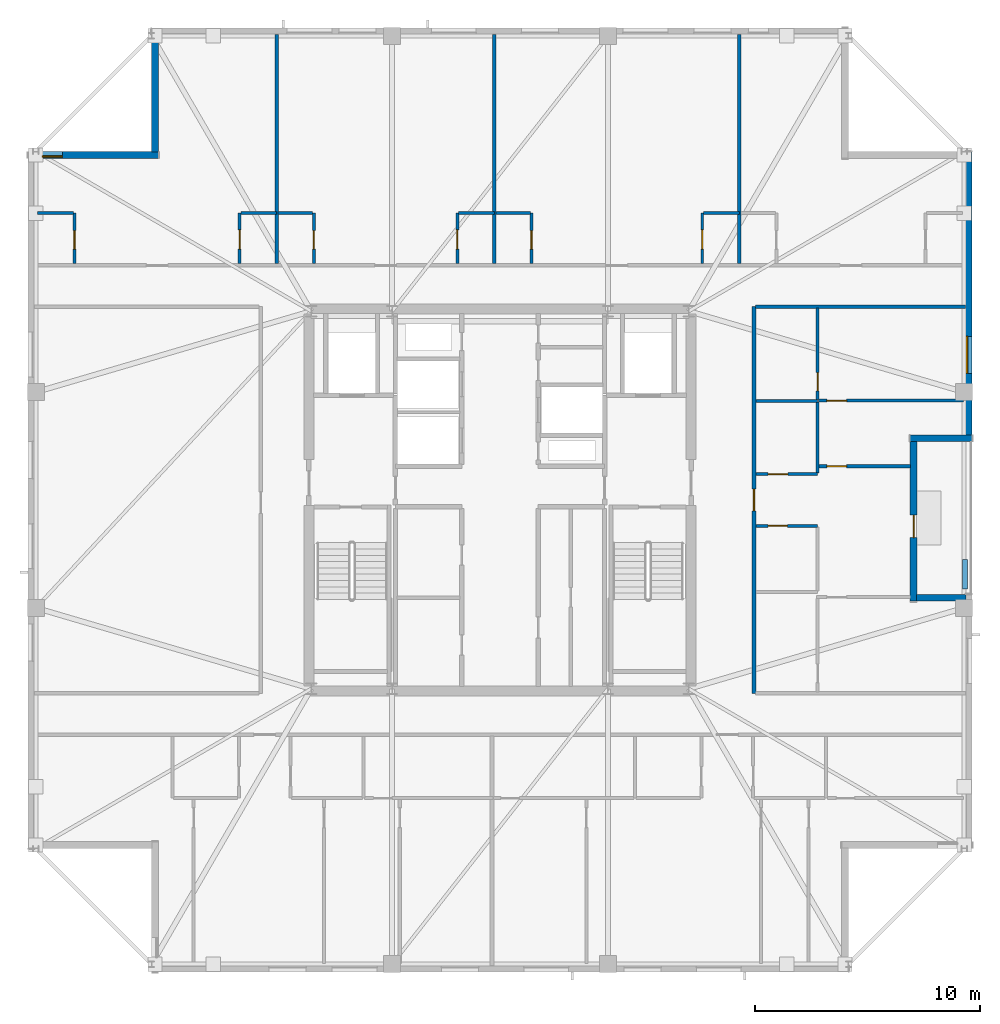
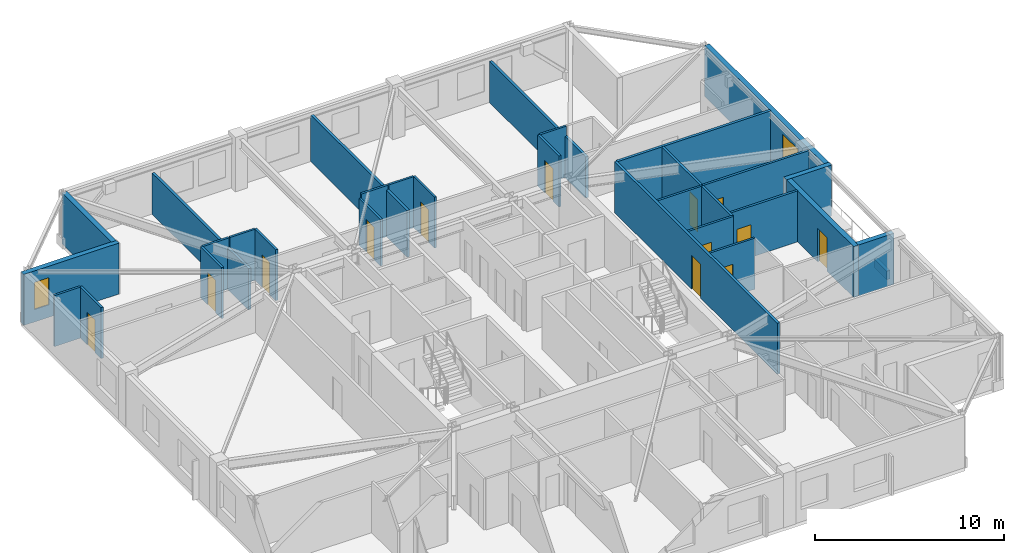
# One storey, part 10 of 14: 31 walls, 13 doors, 2 windows, 15 openings.
"""IFC4 building model written with IfcOpenShell, lengths in metres."""

from ifc_helpers import new_model, si_unit, direction, frame, frame_2d, origin, place, context, subcontext, project, spatial, rectangle, extrude, material, layer, layer_set, type_object, element, fill, save


model = new_model("IFC4")

# Units and contexts
model_context = context("Model", 3, precision=1e-05, world=origin(), true_north=direction((0.0, 1.0)))
body_context = subcontext(model_context, "Body", "Model", "MODEL_VIEW")
ifc_project = project(units=[si_unit("LENGTHUNIT", "METRE"), si_unit("AREAUNIT", "SQUARE_METRE"), si_unit("VOLUMEUNIT", "CUBIC_METRE"), si_unit("PLANEANGLEUNIT", "RADIAN"), si_unit("MASSUNIT", "GRAM", prefix="KILO")], contexts=[model_context])

# Site, building, storey
site_placement = place(None, origin())
site = spatial("IfcSite", under=ifc_project, at=site_placement, CompositionType="ELEMENT")
building_placement = place(site_placement, origin())
building = spatial("IfcBuilding", under=site, at=building_placement, Name="Cairnveth Concourse Tower", CompositionType="ELEMENT")
storey_placement = place(building_placement, frame((0.0, 0.0, 301.5)))
storey = spatial("IfcBuildingStorey", under=building, at=storey_placement, Name="L83", CompositionType="ELEMENT", Elevation=301.5)

# Wall, opening, door
ifc_material_1 = material(Name="Gypsum Plasterboard Partition", Category="gypsum")
ifc_layer_1 = layer(ifc_material_1, 0.159912109375)
ifc_layer_set_1 = layer_set([ifc_layer_1], Name="Gypsum Plasterboard Partition")
wall_type_1 = type_object("IfcWallType", Name="ACOUSTIC PARTY WALL 180", PredefinedType="PARTITIONING", material=ifc_layer_set_1)
wall_1_placement = place(storey_placement, frame((63.300048828125, 30.39990234375, 0.0), z_axis=(0.0, 0.0, 1.0), x_axis=(0.0, 1.0, 0.0)))
wall_1 = element("IfcWall", 1, at=wall_1_placement, inside=storey, type_object=wall_type_1, Name="Interior Wall IW-L83-039", PredefinedType="PARTITIONING", context=body_context, shape_type="SweptSolid", body=[
    extrude(rectangle(XDim=17.2001953125, YDim=0.159912109375, at=frame_2d((8.60009765625, 0.0))), origin(), (0.0, 0.0, 1.0), 3.2900390625),
])
opening_1_placement = place(wall_1_placement, frame((8.1201171875, 0.0, 0.0)))
opening_1 = element("IfcOpeningElement", 2, at=opening_1_placement, cuts=wall_1, Name="Opening ID10", PredefinedType="OPENING", context=body_context, shape_type="SweptSolid", body=[
    extrude(rectangle(XDim=0.9599609375, YDim=2.179931640625, at=frame_2d((0.47998046875, 1.08984375))), frame((0.0, 0.08984375, 0.0), z_axis=(0.0, -1.0, 0.0), x_axis=(1.0, 0.0, 0.0)), (0.0, 0.0, 1.0), 0.179931640625),
])
ifc_material_2 = material(Name="Solid Core Hardwood Timber Leaf", Category="wood")
door_type_1 = type_object("IfcDoorType", Name="FLAT ENTRANCE DOOR 960X2150", OperationType="NOTDEFINED", PredefinedType="DOOR", material=ifc_material_2)
door_1_placement = place(opening_1_placement, origin())
door_1 = element("IfcDoor", 3, at=door_1_placement, inside=storey, type_object=door_type_1, Name="Penthouse L83PE1 Entrance Door", OperationType="SINGLE_SWING_LEFT", OverallHeight=2.179931640625, OverallWidth=0.9599609375, PredefinedType="DOOR", context=body_context, shape_type="SweptSolid", body=[
    extrude(rectangle(XDim=0.9599609375, YDim=2.179931640625, at=frame_2d((0.47998046875, 1.08984375))), frame((0.0, 0.02490234375, 0.0), z_axis=(0.0, -1.0, 0.0), x_axis=(1.0, 0.0, 0.0)), (0.0, 0.0, 1.0), 0.050048828125),
])
fill(opening_1, door_1)

# Walls
wall_2_placement = place(storey_placement, frame((63.364990234375, 47.60009765625, 0.0), z_axis=(0.0, 0.0, 1.0), x_axis=(1.0, 0.0, 0.0)))
element("IfcWall", 4, at=wall_2_placement, inside=storey, type_object=wall_type_1, Name="Interior Wall IW-L83-043", PredefinedType="PARTITIONING", context=body_context, shape_type="SweptSolid", body=[
    extrude(rectangle(XDim=9.35009765625, YDim=0.159912109375, at=frame_2d((4.675048828125, 0.0))), origin(), (0.0, 0.0, 1.0), 3.2900390625),
])
wall_3_placement = place(storey_placement, frame((42.0673828125, 49.514892578125, 0.0), z_axis=(0.0, 0.0, 1.0), x_axis=(0.0, 1.0, 0.0)))
element("IfcWall", 5, at=wall_3_placement, inside=storey, type_object=wall_type_1, Name="Interior Wall IW-L83-070", PredefinedType="PARTITIONING", context=body_context, shape_type="SweptSolid", body=[
    extrude(rectangle(XDim=10.18505859375, YDim=0.159912109375, at=frame_2d((5.092529296875, 0.0))), origin(), (0.0, 0.0, 1.0), 2.653076171875),
])
wall_4_placement = place(storey_placement, frame((51.75244140625, 49.514892578125, 0.0), z_axis=(0.0, 0.0, 1.0), x_axis=(0.0, 1.0, 0.0)))
element("IfcWall", 6, at=wall_4_placement, inside=storey, type_object=wall_type_1, Name="Interior Wall IW-L83-075", PredefinedType="PARTITIONING", context=body_context, shape_type="SweptSolid", body=[
    extrude(rectangle(XDim=10.18505859375, YDim=0.159912109375, at=frame_2d((5.092529296875, 0.0))), origin(), (0.0, 0.0, 1.0), 3.009033203125),
])
wall_5_placement = place(storey_placement, frame((62.6474609375, 49.514892578125, 0.0), z_axis=(0.0, 0.0, 1.0), x_axis=(0.0, 1.0, 0.0)))
element("IfcWall", 7, at=wall_5_placement, inside=storey, type_object=wall_type_1, Name="Interior Wall IW-L83-080", PredefinedType="PARTITIONING", context=body_context, shape_type="SweptSolid", body=[
    extrude(rectangle(XDim=10.18505859375, YDim=0.159912109375, at=frame_2d((5.092529296875, 0.0))), origin(), (0.0, 0.0, 1.0), 2.653076171875),
])

# Wall, opening, door
ifc_layer_2 = layer(ifc_material_1, 0.139892578125)
ifc_layer_set_2 = layer_set([ifc_layer_2], Name="Gypsum Plasterboard Partition")
wall_type_2 = type_object("IfcWallType", Name="GYPSUM STUD PARTITION 140", PredefinedType="PARTITIONING", material=ifc_layer_set_2)
wall_6_placement = place(storey_placement, frame((66.179931640625, 43.419921875, 0.0), z_axis=(0.0, 0.0, 1.0), x_axis=(1.0, 0.0, 0.0)))
wall_6 = element("IfcWall", 8, at=wall_6_placement, inside=storey, type_object=wall_type_2, Name="Interior Wall IW-L83-093", PredefinedType="PARTITIONING", context=body_context, shape_type="SweptSolid", body=[
    extrude(rectangle(XDim=6.440185546875, YDim=0.139892578125, at=frame_2d((3.22021484375, 0.0))), origin(), (0.0, 0.0, 1.0), 3.2900390625),
])
opening_2_placement = place(wall_6_placement, frame((0.360107421875, 0.0, 0.0)))
opening_2 = element("IfcOpeningElement", 9, at=opening_2_placement, cuts=wall_6, Name="Opening ID18", PredefinedType="OPENING", context=body_context, shape_type="SweptSolid", body=[
    extrude(rectangle(XDim=0.8798828125, YDim=2.10009765625, at=frame_2d((0.43994140625, 1.050048828125))), frame((0.0, 0.079833984375, 0.0), z_axis=(0.0, -1.0, 0.0), x_axis=(1.0, 0.0, 0.0)), (0.0, 0.0, 1.0), 0.159912109375),
])
door_type_2 = type_object("IfcDoorType", Name="INTERIOR SINGLE DOOR 880X2100", OperationType="NOTDEFINED", PredefinedType="DOOR", material=ifc_material_2)
door_2_placement = place(opening_2_placement, origin())
door_2 = element("IfcDoor", 10, at=door_2_placement, inside=storey, type_object=door_type_2, Name="L83PE1 Bedroom 2 Door", OperationType="SINGLE_SWING_LEFT", OverallHeight=2.10009765625, OverallWidth=0.8798828125, PredefinedType="DOOR", context=body_context, shape_type="SweptSolid", body=[
    extrude(rectangle(XDim=0.8798828125, YDim=2.10009765625, at=frame_2d((0.43994140625, 1.050048828125))), frame((0.0, 0.02490234375, 0.0), z_axis=(0.0, -1.0, 0.0), x_axis=(1.0, 0.0, 0.0)), (0.0, 0.0, 1.0), 0.050048828125),
])
fill(opening_2, door_2)

wall_7_placement = place(storey_placement, frame((66.1298828125, 43.47509765625, 0.0), z_axis=(0.0, 0.0, 1.0), x_axis=(0.0, 1.0, 0.0)))
wall_7 = element("IfcWall", 11, at=wall_7_placement, inside=storey, type_object=wall_type_2, Name="Interior Wall IW-L83-094", PredefinedType="PARTITIONING", context=body_context, shape_type="SweptSolid", body=[
    extrude(rectangle(XDim=4.059814453125, YDim=0.139892578125, at=frame_2d((2.02978515625, 0.0))), origin(), (0.0, 0.0, 1.0), 3.2900390625),
])
opening_3_placement = place(wall_7_placement, frame((0.375, 0.0, 0.0)))
opening_3 = element("IfcOpeningElement", 12, at=opening_3_placement, cuts=wall_7, Name="Opening ID22", PredefinedType="OPENING", context=body_context, shape_type="SweptSolid", body=[
    extrude(rectangle(XDim=0.820068359375, YDim=2.10009765625, at=frame_2d((0.41015625, 1.050048828125))), frame((0.0, 0.079833984375, 0.0), z_axis=(0.0, -1.0, 0.0), x_axis=(1.0, 0.0, 0.0)), (0.0, 0.0, 1.0), 0.159912109375),
])
door_type_3 = type_object("IfcDoorType", Name="INTERIOR WC DOOR 820X2100", OperationType="NOTDEFINED", PredefinedType="DOOR", material=ifc_material_2)
door_3_placement = place(opening_3_placement, origin())
door_3 = element("IfcDoor", 13, at=door_3_placement, inside=storey, type_object=door_type_3, Name="L83PE1 Utility Door", OperationType="SINGLE_SWING_RIGHT", OverallHeight=2.10009765625, OverallWidth=0.820068359375, PredefinedType="DOOR", context=body_context, shape_type="SweptSolid", body=[
    extrude(rectangle(XDim=0.820068359375, YDim=2.10009765625, at=frame_2d((0.41015625, 1.050048828125))), frame((0.0, 0.02490234375, 0.0), z_axis=(0.0, -1.0, 0.0), x_axis=(1.0, 0.0, 0.0)), (0.0, 0.0, 1.0), 0.050048828125),
])
fill(opening_3, door_3)

wall_8_placement = place(storey_placement, frame((66.179931640625, 40.5, 0.0), z_axis=(0.0, 0.0, 1.0), x_axis=(1.0, 0.0, 0.0)))
wall_8 = element("IfcWall", 14, at=wall_8_placement, inside=storey, type_object=wall_type_2, Name="Interior Wall IW-L83-095", PredefinedType="PARTITIONING", context=body_context, shape_type="SweptSolid", body=[
    extrude(rectangle(XDim=4.0849609375, YDim=0.139892578125, at=frame_2d((2.04248046875, 0.0))), origin(), (0.0, 0.0, 1.0), 3.2900390625),
])
opening_4_placement = place(wall_8_placement, frame((0.360107421875, 0.0, 0.0)))
opening_4 = element("IfcOpeningElement", 15, at=opening_4_placement, cuts=wall_8, Name="Opening ID18", PredefinedType="OPENING", context=body_context, shape_type="SweptSolid", body=[
    extrude(rectangle(XDim=0.8798828125, YDim=2.10009765625, at=frame_2d((0.43994140625, 1.050048828125))), frame((0.0, 0.079833984375, 0.0), z_axis=(0.0, -1.0, 0.0), x_axis=(1.0, 0.0, 0.0)), (0.0, 0.0, 1.0), 0.159912109375),
])
door_4_placement = place(opening_4_placement, origin())
door_4 = element("IfcDoor", 16, at=door_4_placement, inside=storey, type_object=door_type_2, Name="L83PE1 Media Lounge Door", OperationType="SINGLE_SWING_RIGHT", OverallHeight=2.10009765625, OverallWidth=0.8798828125, PredefinedType="DOOR", context=body_context, shape_type="SweptSolid", body=[
    extrude(rectangle(XDim=0.8798828125, YDim=2.10009765625, at=frame_2d((0.43994140625, 1.050048828125))), frame((0.0, 0.02490234375, 0.0), z_axis=(0.0, -1.0, 0.0), x_axis=(1.0, 0.0, 0.0)), (0.0, 0.0, 1.0), 0.050048828125),
])
fill(opening_4, door_4)

# Wall
ifc_material_3 = material(Name="Dressed Melbourne Bluestone Cladding", Category="masonry")
ifc_layer_3 = layer(ifc_material_3, 0.219970703125)
ifc_layer_set_3 = layer_set([ifc_layer_3], Name="Dressed Melbourne Bluestone Cladding")
wall_type_3 = type_object("IfcWallType", Name="TERRACE PLANTER CURB WALL 220", PredefinedType="PARAPET", material=ifc_layer_set_3)
wall_9_placement = place(storey_placement, frame((72.679931640625, 35.050048828125, 0.0), z_axis=(0.0, 0.0, 1.0), x_axis=(0.0, 1.0, 0.0)))
element("IfcWall", 17, at=wall_9_placement, inside=storey, type_object=wall_type_3, Name="Exterior Wall PLNT-L83-TERR", PredefinedType="PARAPET", context=body_context, shape_type="SweptSolid", body=[
    extrude(rectangle(XDim=1.300048828125, YDim=0.219970703125, at=frame_2d((0.64990234375, 0.0))), origin(), (0.0, 0.0, 1.0), 0.550048828125),
])

# Wall, opening, door
ifc_layer_4 = layer(ifc_material_1, 0.1298828125)
ifc_layer_set_4 = layer_set([ifc_layer_4], Name="Gypsum Plasterboard Partition")
wall_type_4 = type_object("IfcWallType", Name="WET AREA PARTITION 140", PredefinedType="PLUMBINGWALL", material=ifc_layer_set_4)
wall_10_placement = place(storey_placement, frame((33.070068359375, 49.514892578125, 0.0), z_axis=(0.0, 0.0, 1.0), x_axis=(0.0, 1.0, 0.0)))
wall_10 = element("IfcWall", 18, at=wall_10_placement, inside=storey, type_object=wall_type_4, Name="Interior Wall IW-L83-066", PredefinedType="PLUMBINGWALL", context=body_context, shape_type="SweptSolid", body=[
    extrude(rectangle(XDim=2.25, YDim=0.1298828125, at=frame_2d((1.125, 0.0))), origin(), (0.0, 0.0, 1.0), 3.2900390625),
])
opening_5_placement = place(wall_10_placement, frame((0.64990234375, 0.0, 0.0)))
opening_5 = element("IfcOpeningElement", 19, at=opening_5_placement, cuts=wall_10, Name="Opening ID22", PredefinedType="OPENING", context=body_context, shape_type="SweptSolid", body=[
    extrude(rectangle(XDim=0.820068359375, YDim=2.10009765625, at=frame_2d((0.41015625, 1.050048828125))), frame((0.0, 0.074951171875, 0.0), z_axis=(0.0, -1.0, 0.0), x_axis=(1.0, 0.0, 0.0)), (0.0, 0.0, 1.0), 0.14990234375),
])
door_5_placement = place(opening_5_placement, origin())
door_5 = element("IfcDoor", 20, at=door_5_placement, inside=storey, type_object=door_type_3, Name="L83STN1 Bathroom Door", OperationType="SINGLE_SWING_LEFT", OverallHeight=2.10009765625, OverallWidth=0.820068359375, PredefinedType="DOOR", context=body_context, shape_type="SweptSolid", body=[
    extrude(rectangle(XDim=0.820068359375, YDim=2.10009765625, at=frame_2d((0.41015625, 1.050048828125))), frame((0.0, 0.02490234375, 0.0), z_axis=(0.0, -1.0, 0.0), x_axis=(1.0, 0.0, 0.0)), (0.0, 0.0, 1.0), 0.050048828125),
])
fill(opening_5, door_5)

# Wall
wall_11_placement = place(storey_placement, frame((31.419921875, 51.764892578125, 0.0), z_axis=(0.0, 0.0, 1.0), x_axis=(1.0, 0.0, 0.0)))
element("IfcWall", 21, at=wall_11_placement, inside=storey, type_object=wall_type_4, Name="Interior Wall IW-L83-067", PredefinedType="PLUMBINGWALL", context=body_context, shape_type="SweptSolid", body=[
    extrude(rectangle(XDim=1.60009765625, YDim=0.1298828125, at=frame_2d((0.800048828125, 0.0))), origin(), (0.0, 0.0, 1.0), 3.2900390625),
])

# Wall, opening, door
wall_12_placement = place(storey_placement, frame((40.41748046875, 49.514892578125, 0.0), z_axis=(0.0, 0.0, 1.0), x_axis=(0.0, 1.0, 0.0)))
wall_12 = element("IfcWall", 22, at=wall_12_placement, inside=storey, type_object=wall_type_4, Name="Interior Wall IW-L83-068", PredefinedType="PLUMBINGWALL", context=body_context, shape_type="SweptSolid", body=[
    extrude(rectangle(XDim=2.25, YDim=0.1298828125, at=frame_2d((1.125, 0.0))), origin(), (0.0, 0.0, 1.0), 3.2900390625),
])
opening_6_placement = place(wall_12_placement, frame((0.64990234375, 0.0, 0.0)))
opening_6 = element("IfcOpeningElement", 23, at=opening_6_placement, cuts=wall_12, Name="Opening ID20", PredefinedType="OPENING", context=body_context, shape_type="SweptSolid", body=[
    extrude(rectangle(XDim=0.85009765625, YDim=2.10009765625, at=frame_2d((0.425048828125, 1.050048828125))), frame((0.0, 0.074951171875, 0.0), z_axis=(0.0, -1.0, 0.0), x_axis=(1.0, 0.0, 0.0)), (0.0, 0.0, 1.0), 0.14990234375),
])
door_type_4 = type_object("IfcDoorType", Name="INTERIOR SINGLE DOOR 850X2100", OperationType="NOTDEFINED", PredefinedType="DOOR", material=ifc_material_2)
door_6_placement = place(opening_6_placement, origin())
door_6 = element("IfcDoor", 24, at=door_6_placement, inside=storey, type_object=door_type_4, Name="L83STN1 Kitchen Door", OperationType="SINGLE_SWING_RIGHT", OverallHeight=2.10009765625, OverallWidth=0.85009765625, PredefinedType="DOOR", context=body_context, shape_type="SweptSolid", body=[
    extrude(rectangle(XDim=0.85009765625, YDim=2.10009765625, at=frame_2d((0.425048828125, 1.050048828125))), frame((0.0, 0.02490234375, 0.0), z_axis=(0.0, -1.0, 0.0), x_axis=(1.0, 0.0, 0.0)), (0.0, 0.0, 1.0), 0.050048828125),
])
fill(opening_6, door_6)

# Wall
wall_13_placement = place(storey_placement, frame((40.467529296875, 51.764892578125, 0.0), z_axis=(0.0, 0.0, 1.0), x_axis=(1.0, 0.0, 0.0)))
element("IfcWall", 25, at=wall_13_placement, inside=storey, type_object=wall_type_4, Name="Interior Wall IW-L83-069", PredefinedType="PLUMBINGWALL", context=body_context, shape_type="SweptSolid", body=[
    extrude(rectangle(XDim=1.599853515625, YDim=0.1298828125, at=frame_2d((0.7998046875, 0.0))), origin(), (0.0, 0.0, 1.0), 3.2900390625),
])

# Wall, opening, door
wall_14_placement = place(storey_placement, frame((43.717529296875, 49.514892578125, 0.0), z_axis=(0.0, 0.0, 1.0), x_axis=(0.0, 1.0, 0.0)))
wall_14 = element("IfcWall", 26, at=wall_14_placement, inside=storey, type_object=wall_type_4, Name="Interior Wall IW-L83-071", PredefinedType="PLUMBINGWALL", context=body_context, shape_type="SweptSolid", body=[
    extrude(rectangle(XDim=2.25, YDim=0.1298828125, at=frame_2d((1.125, 0.0))), origin(), (0.0, 0.0, 1.0), 3.2900390625),
])
opening_7_placement = place(wall_14_placement, frame((0.64990234375, 0.0, 0.0)))
opening_7 = element("IfcOpeningElement", 27, at=opening_7_placement, cuts=wall_14, Name="Opening ID22", PredefinedType="OPENING", context=body_context, shape_type="SweptSolid", body=[
    extrude(rectangle(XDim=0.820068359375, YDim=2.10009765625, at=frame_2d((0.41015625, 1.050048828125))), frame((0.0, 0.074951171875, 0.0), z_axis=(0.0, -1.0, 0.0), x_axis=(1.0, 0.0, 0.0)), (0.0, 0.0, 1.0), 0.14990234375),
])
door_7_placement = place(opening_7_placement, origin())
door_7 = element("IfcDoor", 28, at=door_7_placement, inside=storey, type_object=door_type_3, Name="L83STN2 Bathroom Door", OperationType="SINGLE_SWING_RIGHT", OverallHeight=2.10009765625, OverallWidth=0.820068359375, PredefinedType="DOOR", context=body_context, shape_type="SweptSolid", body=[
    extrude(rectangle(XDim=0.820068359375, YDim=2.10009765625, at=frame_2d((0.41015625, 1.050048828125))), frame((0.0, 0.02490234375, 0.0), z_axis=(0.0, -1.0, 0.0), x_axis=(1.0, 0.0, 0.0)), (0.0, 0.0, 1.0), 0.050048828125),
])
fill(opening_7, door_7)

# Wall
wall_15_placement = place(storey_placement, frame((42.132568359375, 51.764892578125, 0.0), z_axis=(0.0, 0.0, 1.0), x_axis=(1.0, 0.0, 0.0)))
element("IfcWall", 29, at=wall_15_placement, inside=storey, type_object=wall_type_4, Name="Interior Wall IW-L83-072", PredefinedType="PLUMBINGWALL", context=body_context, shape_type="SweptSolid", body=[
    extrude(rectangle(XDim=1.534912109375, YDim=0.1298828125, at=frame_2d((0.767578125, 0.0))), origin(), (0.0, 0.0, 1.0), 3.2900390625),
])

# Wall, opening, door
wall_16_placement = place(storey_placement, frame((50.1025390625, 49.514892578125, 0.0), z_axis=(0.0, 0.0, 1.0), x_axis=(0.0, 1.0, 0.0)))
wall_16 = element("IfcWall", 30, at=wall_16_placement, inside=storey, type_object=wall_type_4, Name="Interior Wall IW-L83-073", PredefinedType="PLUMBINGWALL", context=body_context, shape_type="SweptSolid", body=[
    extrude(rectangle(XDim=2.25, YDim=0.1298828125, at=frame_2d((1.125, 0.0))), origin(), (0.0, 0.0, 1.0), 3.009033203125),
])
opening_8_placement = place(wall_16_placement, frame((0.64990234375, 0.0, 0.0)))
opening_8 = element("IfcOpeningElement", 31, at=opening_8_placement, cuts=wall_16, Name="Opening ID20", PredefinedType="OPENING", context=body_context, shape_type="SweptSolid", body=[
    extrude(rectangle(XDim=0.85009765625, YDim=2.10009765625, at=frame_2d((0.425048828125, 1.050048828125))), frame((0.0, 0.074951171875, 0.0), z_axis=(0.0, -1.0, 0.0), x_axis=(1.0, 0.0, 0.0)), (0.0, 0.0, 1.0), 0.14990234375),
])
door_8_placement = place(opening_8_placement, origin())
door_8 = element("IfcDoor", 32, at=door_8_placement, inside=storey, type_object=door_type_4, Name="L83STN2 Kitchen Door", OperationType="SINGLE_SWING_LEFT", OverallHeight=2.10009765625, OverallWidth=0.85009765625, PredefinedType="DOOR", context=body_context, shape_type="SweptSolid", body=[
    extrude(rectangle(XDim=0.85009765625, YDim=2.10009765625, at=frame_2d((0.425048828125, 1.050048828125))), frame((0.0, 0.02490234375, 0.0), z_axis=(0.0, -1.0, 0.0), x_axis=(1.0, 0.0, 0.0)), (0.0, 0.0, 1.0), 0.050048828125),
])
fill(opening_8, door_8)

# Wall
wall_17_placement = place(storey_placement, frame((50.152587890625, 51.764892578125, 0.0), z_axis=(0.0, 0.0, 1.0), x_axis=(1.0, 0.0, 0.0)))
element("IfcWall", 33, at=wall_17_placement, inside=storey, type_object=wall_type_4, Name="Interior Wall IW-L83-074", PredefinedType="PLUMBINGWALL", context=body_context, shape_type="SweptSolid", body=[
    extrude(rectangle(XDim=1.599853515625, YDim=0.1298828125, at=frame_2d((0.7998046875, 0.0))), origin(), (0.0, 0.0, 1.0), 3.2900390625),
])

# Wall, opening, door
wall_18_placement = place(storey_placement, frame((53.402587890625, 49.514892578125, 0.0), z_axis=(0.0, 0.0, 1.0), x_axis=(0.0, 1.0, 0.0)))
wall_18 = element("IfcWall", 34, at=wall_18_placement, inside=storey, type_object=wall_type_4, Name="Interior Wall IW-L83-076", PredefinedType="PLUMBINGWALL", context=body_context, shape_type="SweptSolid", body=[
    extrude(rectangle(XDim=2.25, YDim=0.1298828125, at=frame_2d((1.125, 0.0))), origin(), (0.0, 0.0, 1.0), 3.2900390625),
])
opening_9_placement = place(wall_18_placement, frame((0.64990234375, 0.0, 0.0)))
opening_9 = element("IfcOpeningElement", 35, at=opening_9_placement, cuts=wall_18, Name="Opening ID22", PredefinedType="OPENING", context=body_context, shape_type="SweptSolid", body=[
    extrude(rectangle(XDim=0.820068359375, YDim=2.10009765625, at=frame_2d((0.41015625, 1.050048828125))), frame((0.0, 0.074951171875, 0.0), z_axis=(0.0, -1.0, 0.0), x_axis=(1.0, 0.0, 0.0)), (0.0, 0.0, 1.0), 0.14990234375),
])
door_9_placement = place(opening_9_placement, origin())
door_9 = element("IfcDoor", 36, at=door_9_placement, inside=storey, type_object=door_type_3, Name="L83STN3 Bathroom Door", OperationType="SINGLE_SWING_LEFT", OverallHeight=2.10009765625, OverallWidth=0.820068359375, PredefinedType="DOOR", context=body_context, shape_type="SweptSolid", body=[
    extrude(rectangle(XDim=0.820068359375, YDim=2.10009765625, at=frame_2d((0.41015625, 1.050048828125))), frame((0.0, 0.02490234375, 0.0), z_axis=(0.0, -1.0, 0.0), x_axis=(1.0, 0.0, 0.0)), (0.0, 0.0, 1.0), 0.050048828125),
])
fill(opening_9, door_9)

# Wall
wall_19_placement = place(storey_placement, frame((51.8173828125, 51.764892578125, 0.0), z_axis=(0.0, 0.0, 1.0), x_axis=(1.0, 0.0, 0.0)))
element("IfcWall", 37, at=wall_19_placement, inside=storey, type_object=wall_type_4, Name="Interior Wall IW-L83-077", PredefinedType="PLUMBINGWALL", context=body_context, shape_type="SweptSolid", body=[
    extrude(rectangle(XDim=1.53515625, YDim=0.1298828125, at=frame_2d((0.767578125, 0.0))), origin(), (0.0, 0.0, 1.0), 3.2900390625),
])

# Wall, opening, door
wall_20_placement = place(storey_placement, frame((60.99755859375, 49.514892578125, 0.0), z_axis=(0.0, 0.0, 1.0), x_axis=(0.0, 1.0, 0.0)))
wall_20 = element("IfcWall", 38, at=wall_20_placement, inside=storey, type_object=wall_type_4, Name="Interior Wall IW-L83-078", PredefinedType="PLUMBINGWALL", context=body_context, shape_type="SweptSolid", body=[
    extrude(rectangle(XDim=2.25, YDim=0.1298828125, at=frame_2d((1.125, 0.0))), origin(), (0.0, 0.0, 1.0), 3.2900390625),
])
opening_10_placement = place(wall_20_placement, frame((0.64990234375, 0.0, 0.0)))
opening_10 = element("IfcOpeningElement", 39, at=opening_10_placement, cuts=wall_20, Name="Opening ID20", PredefinedType="OPENING", context=body_context, shape_type="SweptSolid", body=[
    extrude(rectangle(XDim=0.85009765625, YDim=2.10009765625, at=frame_2d((0.425048828125, 1.050048828125))), frame((0.0, 0.074951171875, 0.0), z_axis=(0.0, -1.0, 0.0), x_axis=(1.0, 0.0, 0.0)), (0.0, 0.0, 1.0), 0.14990234375),
])
door_10_placement = place(opening_10_placement, origin())
door_10 = element("IfcDoor", 40, at=door_10_placement, inside=storey, type_object=door_type_4, Name="L83STN3 Kitchen Door", OperationType="SINGLE_SWING_RIGHT", OverallHeight=2.10009765625, OverallWidth=0.85009765625, PredefinedType="DOOR", context=body_context, shape_type="SweptSolid", body=[
    extrude(rectangle(XDim=0.85009765625, YDim=2.10009765625, at=frame_2d((0.425048828125, 1.050048828125))), frame((0.0, 0.02490234375, 0.0), z_axis=(0.0, -1.0, 0.0), x_axis=(1.0, 0.0, 0.0)), (0.0, 0.0, 1.0), 0.050048828125),
])
fill(opening_10, door_10)

# Wall
wall_21_placement = place(storey_placement, frame((61.047607421875, 51.764892578125, 0.0), z_axis=(0.0, 0.0, 1.0), x_axis=(1.0, 0.0, 0.0)))
element("IfcWall", 41, at=wall_21_placement, inside=storey, type_object=wall_type_4, Name="Interior Wall IW-L83-079", PredefinedType="PLUMBINGWALL", context=body_context, shape_type="SweptSolid", body=[
    extrude(rectangle(XDim=1.599853515625, YDim=0.1298828125, at=frame_2d((0.7998046875, 0.0))), origin(), (0.0, 0.0, 1.0), 3.2900390625),
])

# Wall, opening, door
wall_22_placement = place(storey_placement, frame((63.3798828125, 37.85009765625, 0.0), z_axis=(0.0, 0.0, 1.0), x_axis=(1.0, 0.0, 0.0)))
wall_22 = element("IfcWall", 42, at=wall_22_placement, inside=storey, type_object=wall_type_4, Name="Interior Wall IW-L83-086", PredefinedType="PLUMBINGWALL", context=body_context, shape_type="SweptSolid", body=[
    extrude(rectangle(XDim=2.75, YDim=0.1298828125, at=frame_2d((1.375, 0.0))), origin(), (0.0, 0.0, 1.0), 3.2900390625),
])
opening_11_placement = place(wall_22_placement, frame((0.550048828125, 0.0, 0.0)))
opening_11 = element("IfcOpeningElement", 43, at=opening_11_placement, cuts=wall_22, Name="Opening ID21", PredefinedType="OPENING", context=body_context, shape_type="SweptSolid", body=[
    extrude(rectangle(XDim=0.85009765625, YDim=2.080078125, at=frame_2d((0.425048828125, 1.0400390625))), frame((0.0, 0.074951171875, 0.0), z_axis=(0.0, -1.0, 0.0), x_axis=(1.0, 0.0, 0.0)), (0.0, 0.0, 1.0), 0.14990234375),
])
door_type_5 = type_object("IfcDoorType", Name="INTERIOR WC DOOR 850X2100", OperationType="NOTDEFINED", PredefinedType="DOOR", material=ifc_material_2)
door_11_placement = place(opening_11_placement, origin())
door_11 = element("IfcDoor", 44, at=door_11_placement, inside=storey, type_object=door_type_5, Name="L83PE1 Bathroom Door", OperationType="SINGLE_SWING_RIGHT", OverallHeight=2.080078125, OverallWidth=0.85009765625, PredefinedType="DOOR", context=body_context, shape_type="SweptSolid", body=[
    extrude(rectangle(XDim=0.85009765625, YDim=2.080078125, at=frame_2d((0.425048828125, 1.0400390625))), frame((0.0, 0.02490234375, 0.0), z_axis=(0.0, -1.0, 0.0), x_axis=(1.0, 0.0, 0.0)), (0.0, 0.0, 1.0), 0.050048828125),
])
fill(opening_11, door_11)

# Wall
wall_23_placement = place(storey_placement, frame((63.3798828125, 43.39990234375, 0.0), z_axis=(0.0, 0.0, 1.0), x_axis=(1.0, 0.0, 0.0)))
element("IfcWall", 45, at=wall_23_placement, inside=storey, type_object=wall_type_4, Name="Interior Wall IW-L83-088", PredefinedType="PLUMBINGWALL", context=body_context, shape_type="SweptSolid", body=[
    extrude(rectangle(XDim=2.75, YDim=0.1298828125, at=frame_2d((1.375, 0.0))), origin(), (0.0, 0.0, 1.0), 3.2900390625),
])

# Wall, opening, door
wall_24_placement = place(storey_placement, frame((63.3798828125, 40.14990234375, 0.0), z_axis=(0.0, 0.0, 1.0), x_axis=(1.0, 0.0, 0.0)))
wall_24 = element("IfcWall", 46, at=wall_24_placement, inside=storey, type_object=wall_type_4, Name="Interior Wall IW-L83-089", PredefinedType="PLUMBINGWALL", context=body_context, shape_type="SweptSolid", body=[
    extrude(rectangle(XDim=2.75, YDim=0.1298828125, at=frame_2d((1.375, 0.0))), origin(), (0.0, 0.0, 1.0), 3.2900390625),
])
opening_12_placement = place(wall_24_placement, frame((0.550048828125, 0.0, 0.0)))
opening_12 = element("IfcOpeningElement", 47, at=opening_12_placement, cuts=wall_24, Name="Opening ID18", PredefinedType="OPENING", context=body_context, shape_type="SweptSolid", body=[
    extrude(rectangle(XDim=0.8798828125, YDim=2.10009765625, at=frame_2d((0.43994140625, 1.050048828125))), frame((0.0, 0.074951171875, 0.0), z_axis=(0.0, -1.0, 0.0), x_axis=(1.0, 0.0, 0.0)), (0.0, 0.0, 1.0), 0.14990234375),
])
door_12_placement = place(opening_12_placement, origin())
door_12 = element("IfcDoor", 48, at=door_12_placement, inside=storey, type_object=door_type_2, Name="L83PE1 Kitchen Door", OperationType="SINGLE_SWING_LEFT", OverallHeight=2.10009765625, OverallWidth=0.8798828125, PredefinedType="DOOR", context=body_context, shape_type="SweptSolid", body=[
    extrude(rectangle(XDim=0.8798828125, YDim=2.10009765625, at=frame_2d((0.43994140625, 1.050048828125))), frame((0.0, 0.02490234375, 0.0), z_axis=(0.0, -1.0, 0.0), x_axis=(1.0, 0.0, 0.0)), (0.0, 0.0, 1.0), 0.050048828125),
])
fill(opening_12, door_12)

# Wall
wall_25_placement = place(storey_placement, frame((66.1298828125, 40.199951171875, 0.0), z_axis=(0.0, 0.0, 1.0), x_axis=(0.0, 1.0, 0.0)))
element("IfcWall", 49, at=wall_25_placement, inside=storey, type_object=wall_type_4, Name="Interior Wall IW-L83-090", PredefinedType="PLUMBINGWALL", context=body_context, shape_type="SweptSolid", body=[
    extrude(rectangle(XDim=3.150146484375, YDim=0.1298828125, at=frame_2d((1.5751953125, 0.0))), origin(), (0.0, 0.0, 1.0), 3.2900390625),
])

# Wall, opening, window
ifc_material_4 = material(Name="Hawthorn Red-Ochre Fired Clay Brick Masonry", Category="masonry")
ifc_layer_5 = layer(ifc_material_4, 0.300048828125)
ifc_layer_set_5 = layer_set([ifc_layer_5], Name="Hawthorn Red-Ochre Fired Clay Brick Masonry")
wall_type_5 = type_object("IfcWallType", Name="ZONE 4 BRICK PIER SPANDREL WALL 300", PredefinedType="SOLIDWALL", material=ifc_layer_set_5)
wall_26_placement = place(storey_placement, frame((31.0, 54.35009765625, 0.0), z_axis=(0.0, 0.0, 1.0), x_axis=(1.0, 0.0, 0.0)))
wall_26 = element("IfcWall", 50, at=wall_26_placement, inside=storey, type_object=wall_type_5, Name="Exterior Wall EW-L83-S07", PredefinedType="SOLIDWALL", context=body_context, shape_type="SweptSolid", body=[
    extrude(rectangle(XDim=5.800048828125, YDim=0.300048828125, at=frame_2d((2.89990234375, 0.0))), origin(), (0.0, 0.0, 1.0), 3.2900390625),
])
opening_13_placement = place(wall_26_placement, frame((0.6298828125, 0.0, 0.800048828125)))
opening_13 = element("IfcOpeningElement", 51, at=opening_13_placement, cuts=wall_26, Name="Opening W13", PredefinedType="OPENING", context=body_context, shape_type="SweptSolid", body=[
    extrude(rectangle(XDim=0.89990234375, YDim=1.75, at=frame_2d((0.449951171875, 0.875))), frame((0.0, 0.159912109375, 0.0), z_axis=(0.0, -1.0, 0.0), x_axis=(1.0, 0.0, 0.0)), (0.0, 0.0, 1.0), 0.320068359375),
])
ifc_material_5 = material(Name="Double Glazed Low-E Clear Glass", Category="glass")
window_type_1 = type_object("IfcWindowType", Name="DEEP-SET BEDROOM LANCET WINDOW 900X1750", PartitioningType="DOUBLE_PANEL_VERTICAL", PredefinedType="WINDOW", material=ifc_material_5)
window_1_placement = place(opening_13_placement, origin())
window_1 = element("IfcWindow", 52, at=window_1_placement, inside=storey, type_object=window_type_1, Name="Dwelling Lancet Window L83-DW3", OverallHeight=1.75, OverallWidth=0.89990234375, PartitioningType="SINGLE_PANEL", PredefinedType="WINDOW", context=body_context, shape_type="SweptSolid", body=[
    extrude(rectangle(XDim=0.89990234375, YDim=1.75, at=frame_2d((0.449951171875, 0.875))), frame((0.0, -0.0400390625, 0.0), z_axis=(0.0, -1.0, 0.0), x_axis=(1.0, 0.0, 0.0)), (0.0, 0.0, 1.0), 0.06005859375),
])
fill(opening_13, window_1)

# Wall
wall_27_placement = place(storey_placement, frame((36.64990234375, 54.47802734375, 0.0), z_axis=(0.0, 0.0, 1.0), x_axis=(0.0, 1.0, 0.0)))
element("IfcWall", 53, at=wall_27_placement, inside=storey, type_object=wall_type_5, Name="Exterior Wall EW-L83-S08", PredefinedType="SOLIDWALL", context=body_context, shape_type="SweptSolid", body=[
    extrude(rectangle(XDim=5.243896484375, YDim=0.300048828125, at=frame_2d((2.6220703125, 0.0))), origin(), (0.0, 0.0, 1.0), 3.2900390625),
])

# Wall, opening, window
wall_28_placement = place(storey_placement, frame((72.85009765625, 54.5, 0.0), z_axis=(0.0, 0.0, 1.0), x_axis=(0.0, -1.0, 0.0)))
wall_28 = element("IfcWall", 54, at=wall_28_placement, inside=storey, type_object=wall_type_5, Name="Exterior Wall EW-L83-S12", PredefinedType="SOLIDWALL", context=body_context, shape_type="SweptSolid", body=[
    extrude(rectangle(XDim=12.6220703125, YDim=0.300048828125, at=frame_2d((6.31103515625, 0.0))), origin(), (0.0, 0.0, 1.0), 3.2900390625),
])
opening_14_placement = place(wall_28_placement, frame((8.216552734375, 0.0, 0.800048828125)))
opening_14 = element("IfcOpeningElement", 55, at=opening_14_placement, cuts=wall_28, Name="Opening W04", PredefinedType="OPENING", context=body_context, shape_type="SweptSolid", body=[
    extrude(rectangle(XDim=1.64990234375, YDim=1.758056640625, at=frame_2d((0.824951171875, 0.87890625))), frame((0.0, 0.159912109375, 0.0), z_axis=(0.0, -1.0, 0.0), x_axis=(1.0, 0.0, 0.0)), (0.0, 0.0, 1.0), 0.320068359375),
])
window_type_2 = type_object("IfcWindowType", Name="DEEP-SET GOTHIC LANCET WINDOW 1650X1850", PartitioningType="DOUBLE_PANEL_VERTICAL", PredefinedType="WINDOW", material=ifc_material_5)
window_2_placement = place(opening_14_placement, origin())
window_2 = element("IfcWindow", 56, at=window_2_placement, inside=storey, type_object=window_type_2, Name="Gothic Lancet Window L83-12-2", OverallHeight=1.758056640625, OverallWidth=1.64990234375, PartitioningType="SINGLE_PANEL", PredefinedType="WINDOW", context=body_context, shape_type="SweptSolid", body=[
    extrude(rectangle(XDim=1.64990234375, YDim=1.758056640625, at=frame_2d((0.824951171875, 0.87890625))), frame((0.0, -0.050048828125, 0.0), z_axis=(0.0, -1.0, 0.0), x_axis=(1.0, 0.0, 0.0)), (0.0, 0.0, 1.0), 0.06005859375),
])
fill(opening_14, window_2)

# Wall
wall_29_placement = place(storey_placement, frame((73.0, 41.75, 0.0), z_axis=(0.0, 0.0, 1.0), x_axis=(-1.0, 0.0, 0.0)))
element("IfcWall", 57, at=wall_29_placement, inside=storey, type_object=wall_type_5, Name="Exterior Wall EW-L83-S13", PredefinedType="SOLIDWALL", context=body_context, shape_type="SweptSolid", body=[
    extrude(rectangle(XDim=2.75, YDim=0.300048828125, at=frame_2d((1.375, 0.0))), origin(), (0.0, 0.0, 1.0), 3.2900390625),
])

# Wall, opening, door
wall_30_placement = place(storey_placement, frame((70.39990234375, 41.6220703125, 0.0), z_axis=(0.0, 0.0, 1.0), x_axis=(0.0, -1.0, 0.0)))
wall_30 = element("IfcWall", 58, at=wall_30_placement, inside=storey, type_object=wall_type_5, Name="Exterior Wall EW-L83-S14", PredefinedType="SOLIDWALL", context=body_context, shape_type="SweptSolid", body=[
    extrude(rectangle(XDim=7.1220703125, YDim=0.300048828125, at=frame_2d((3.56103515625, 0.0))), origin(), (0.0, 0.0, 1.0), 3.2900390625),
])
opening_15_placement = place(wall_30_placement, frame((3.297119140625, 0.0, 0.0)))
opening_15 = element("IfcOpeningElement", 59, at=opening_15_placement, cuts=wall_30, Name="Opening ED4", PredefinedType="OPENING", context=body_context, shape_type="SweptSolid", body=[
    extrude(rectangle(XDim=1.0, YDim=2.14990234375, at=frame_2d((0.5, 1.074951171875))), frame((0.0, 0.159912109375, 0.0), z_axis=(0.0, -1.0, 0.0), x_axis=(1.0, 0.0, 0.0)), (0.0, 0.0, 1.0), 0.320068359375),
])
ifc_material_6 = material(Name="Architectural Bronze Anodised Aluminium 6063-T6", Category="aluminium")
door_type_6 = type_object("IfcDoorType", Name="TERRACE GLAZED DOOR 1000X2150", OperationType="NOTDEFINED", PredefinedType="DOOR", material=ifc_material_6)
door_13_placement = place(opening_15_placement, origin())
door_13 = element("IfcDoor", 60, at=door_13_placement, inside=storey, type_object=door_type_6, Name="Spiral Terrace Door L83", OperationType="SINGLE_SWING_RIGHT", OverallHeight=2.14990234375, OverallWidth=1.0, PredefinedType="DOOR", context=body_context, shape_type="SweptSolid", body=[
    extrude(rectangle(XDim=1.0, YDim=2.14990234375, at=frame_2d((0.5, 1.074951171875))), frame((0.0, 0.02490234375, 0.0), z_axis=(0.0, -1.0, 0.0), x_axis=(1.0, 0.0, 0.0)), (0.0, 0.0, 1.0), 0.050048828125),
])
fill(opening_15, door_13)

# Wall
wall_31_placement = place(storey_placement, frame((70.528076171875, 34.64990234375, 0.0), z_axis=(0.0, 0.0, 1.0), x_axis=(1.0, 0.0, 0.0)))
element("IfcWall", 61, at=wall_31_placement, inside=storey, type_object=wall_type_5, Name="Exterior Wall EW-L83-S15", PredefinedType="SOLIDWALL", context=body_context, shape_type="SweptSolid", body=[
    extrude(rectangle(XDim=2.19384765625, YDim=0.300048828125, at=frame_2d((1.096923828125, 0.0))), origin(), (0.0, 0.0, 1.0), 3.2900390625),
])

save(model, "model.ifc")
